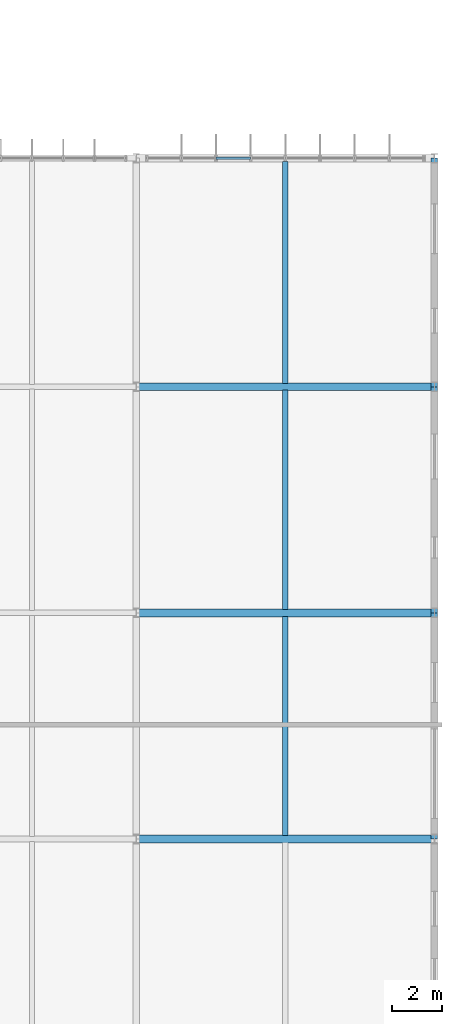
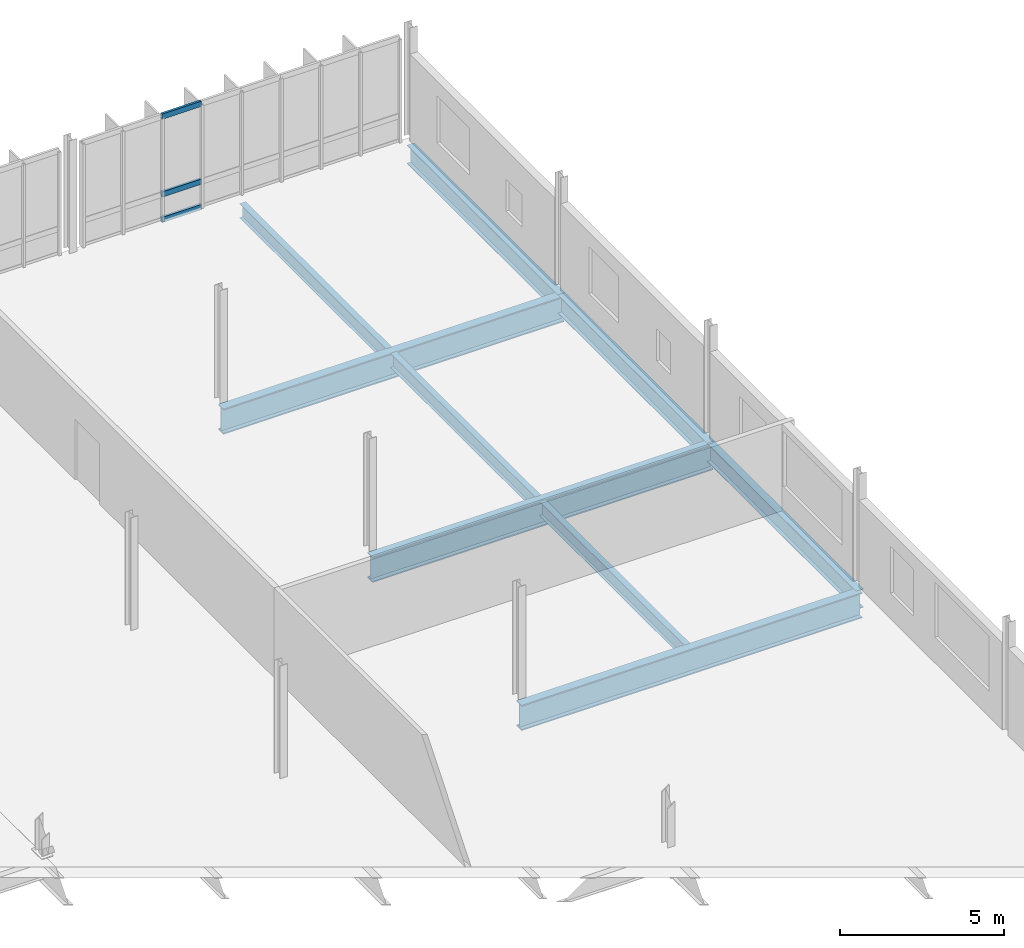
# One storey, part 69 of 107: 9 beams, 3 members, 1 element without a shape of its own.
"""IFC4 building model written with IfcOpenShell, lengths in metres."""

from ifc_helpers import new_model, si_unit, derived_unit, direction, frame, origin, origin_2d, place, context, subcontext, project, spatial, hollow_rectangle, i_section, extrude, material, layer, layer_set, material_profile, profile_set, type_object, element, aggregate, save


model = new_model("IFC4")

# Units and contexts
model_context = context("Model", 3, precision=1e-05, world=origin(), true_north=direction((0.0, 1.0)))
body_context = subcontext(model_context, "Body", "Model", "MODEL_VIEW")
ifc_project = project(units=[si_unit("LENGTHUNIT", "METRE"), si_unit("AREAUNIT", "SQUARE_METRE"), si_unit("VOLUMEUNIT", "CUBIC_METRE"), si_unit("PLANEANGLEUNIT", "RADIAN"), si_unit("MASSUNIT", "GRAM", prefix="KILO"), derived_unit("THERMALTRANSMITTANCEUNIT", [(si_unit("MASSUNIT", "GRAM", prefix="KILO"), 1), (si_unit("TIMEUNIT", "SECOND"), -3), (si_unit("THERMODYNAMICTEMPERATUREUNIT", "KELVIN"), -1)])], contexts=[model_context])

# Site, building, storey
site_placement = place(None, origin())
site = spatial("IfcSite", under=ifc_project, at=site_placement, CompositionType="ELEMENT")
building_placement = place(site_placement, origin())
building = spatial("IfcBuilding", under=site, at=building_placement, Name="Makaiwela Harbour Ferry Terminal", CompositionType="ELEMENT")
storey_placement = place(building_placement, frame((0.0, 0.0, 9.60009765625)))
storey = spatial("IfcBuildingStorey", under=building, at=storey_placement, Name="L02", CompositionType="ELEMENT", Elevation=9.60009765625)

# Curtain wall, members
ifc_material_1 = material(Name="Marine anodised aluminium 6063-T6", Category="aluminium")
ifc_layer = layer(ifc_material_1, 0.199951171875)
ifc_layer_set = layer_set([ifc_layer], Name="Marine anodised aluminium 6063-T6")
curtain_wall_type = type_object("IfcCurtainWallType", Name="ENV-CW-18", PredefinedType="USERDEFINED", material=ifc_layer_set)
curtain_wall_placement = place(storey_placement, origin())
curtain_wall = element("IfcCurtainWall", 1, at=curtain_wall_placement, inside=storey, type_object=curtain_wall_type, Name="Unitised Curtain Wall CWA-130", ObjectType="UNITIZED CURTAIN WALL", PredefinedType="USERDEFINED")
ifc_material_profile_1 = material_profile(ifc_material_1, hollow_rectangle(XDim=0.0849609375, YDim=0.199951171875, WallThickness=0.0048828125, at=origin_2d()), Name="CWT-200X85")
ifc_profile_set_1 = profile_set([ifc_material_profile_1], Name="Marine anodised aluminium 6063-T6")
member_type = type_object("IfcMemberType", Name="CW-TRN-200", PredefinedType="USERDEFINED", material=ifc_profile_set_1)
member_1_placement = place(storey_placement, frame((158.610107421875, 95.0, 0.0), z_axis=(1.0, 0.0, 0.0), x_axis=(0.0, 1.0, 0.0)))
member_1 = element("IfcMember", 2, at=member_1_placement, type_object=member_type, Name="Curtain Wall Transom CWA-130-3-1", ObjectType="TRANSOM", PredefinedType="USERDEFINED", context=body_context, shape_type="SweptSolid", body=[
    extrude(hollow_rectangle(XDim=0.0849609375, YDim=0.199951171875, WallThickness=0.0048828125, at=origin_2d()), origin(), (0.0, 0.0, 1.0), 1.394775390625),
])
member_2_placement = place(storey_placement, frame((158.610107421875, 95.0, 0.949951171875), z_axis=(1.0, 0.0, 0.0), x_axis=(0.0, 1.0, 0.0)))
member_2 = element("IfcMember", 3, at=member_2_placement, type_object=member_type, Name="Curtain Wall Transom CWA-130-3-2", ObjectType="TRANSOM", PredefinedType="USERDEFINED", context=body_context, shape_type="SweptSolid", body=[
    extrude(hollow_rectangle(XDim=0.0849609375, YDim=0.199951171875, WallThickness=0.0048828125, at=origin_2d()), origin(), (0.0, 0.0, 1.0), 1.394775390625),
])
member_3_placement = place(storey_placement, frame((158.610107421875, 95.0, 3.849853515625), z_axis=(1.0, 0.0, 0.0), x_axis=(0.0, 1.0, 0.0)))
member_3 = element("IfcMember", 4, at=member_3_placement, type_object=member_type, Name="Curtain Wall Transom CWA-130-3-3", ObjectType="TRANSOM", PredefinedType="USERDEFINED", context=body_context, shape_type="SweptSolid", body=[
    extrude(hollow_rectangle(XDim=0.0849609375, YDim=0.199951171875, WallThickness=0.0048828125, at=origin_2d()), origin(), (0.0, 0.0, 1.0), 1.394775390625),
])
aggregate(curtain_wall, [member_1, member_2, member_3])

# Beams
ifc_material_2 = material(Name="Steel ASTM A992 Grade 50", Category="steel")
ifc_material_profile_2 = material_profile(ifc_material_2, i_section(OverallWidth=0.2099609375, OverallDepth=0.537109375, WebThickness=0.010986328125, FlangeThickness=0.017333984375, at=origin_2d()), Name="W21X68")
ifc_profile_set_2 = profile_set([ifc_material_profile_2], Name="Steel ASTM A992 Grade 50")
beam_type_1 = type_object("IfcBeamType", Name="STR-BM-W21X68", PredefinedType="BEAM", material=ifc_profile_set_2)
beam_1_placement = place(storey_placement, frame((161.39990234375, 67.737060546875, -0.528564453125), z_axis=(0.0, 1.0, 0.0), x_axis=(-1.0, 0.0, 0.0)))
element("IfcBeam", 5, at=beam_1_placement, inside=storey, type_object=beam_type_1, Name="Secondary floor beam 1546", PredefinedType="BEAM", context=body_context, shape_type="SweptSolid", body=[
    extrude(i_section(OverallWidth=0.2099609375, OverallDepth=0.537109375, WebThickness=0.010986328125, FlangeThickness=0.017333984375, at=origin_2d()), origin(), (0.0, 0.0, 1.0), 8.825927734375),
])
beam_2_placement = place(storey_placement, frame((161.39990234375, 76.8369140625, -0.528564453125), z_axis=(0.0, 1.0, 0.0), x_axis=(-1.0, 0.0, 0.0)))
element("IfcBeam", 6, at=beam_2_placement, inside=storey, type_object=beam_type_1, Name="Secondary floor beam 1547", PredefinedType="BEAM", context=body_context, shape_type="SweptSolid", body=[
    extrude(i_section(OverallWidth=0.2099609375, OverallDepth=0.537109375, WebThickness=0.010986328125, FlangeThickness=0.017333984375, at=origin_2d()), origin(), (0.0, 0.0, 1.0), 8.826171875),
])
beam_3_placement = place(storey_placement, frame((161.39990234375, 85.93701171875, -0.528564453125), z_axis=(0.0, 1.0, 0.0), x_axis=(-1.0, 0.0, 0.0)))
element("IfcBeam", 7, at=beam_3_placement, inside=storey, type_object=beam_type_1, Name="Secondary floor beam 1548", PredefinedType="BEAM", context=body_context, shape_type="SweptSolid", body=[
    extrude(i_section(OverallWidth=0.2099609375, OverallDepth=0.537109375, WebThickness=0.010986328125, FlangeThickness=0.017333984375, at=origin_2d()), origin(), (0.0, 0.0, 1.0), 8.926025390625),
])
ifc_material_profile_3 = material_profile(ifc_material_2, i_section(OverallWidth=0.256103515625, OverallDepth=0.693115234375, WebThickness=0.014404296875, FlangeThickness=0.023681640625, at=origin_2d()), Name="W27X114")
ifc_profile_set_3 = profile_set([ifc_material_profile_3], Name="Steel ASTM A992 Grade 50")
beam_type_2 = type_object("IfcBeamType", Name="STR-GRD-W27X114", PredefinedType="USERDEFINED", material=ifc_profile_set_3)
beam_4_placement = place(storey_placement, frame((167.39990234375, 67.60009765625, -0.606689453125), z_axis=(0.0, 1.0, 0.0), x_axis=(-1.0, 0.0, 0.0)))
element("IfcBeam", 8, at=beam_4_placement, inside=storey, type_object=beam_type_2, Name="Primary Y girder 1454", ObjectType="GIRDER", PredefinedType="USERDEFINED", context=body_context, shape_type="SweptSolid", body=[
    extrude(i_section(OverallWidth=0.256103515625, OverallDepth=0.693115234375, WebThickness=0.014404296875, FlangeThickness=0.023681640625, at=origin_2d()), origin(), (0.0, 0.0, 1.0), 9.099853515625),
])
beam_5_placement = place(storey_placement, frame((167.39990234375, 76.699951171875, -0.606689453125), z_axis=(0.0, 1.0, 0.0), x_axis=(-1.0, 0.0, 0.0)))
element("IfcBeam", 9, at=beam_5_placement, inside=storey, type_object=beam_type_2, Name="Primary Y girder 1455", ObjectType="GIRDER", PredefinedType="USERDEFINED", context=body_context, shape_type="SweptSolid", body=[
    extrude(i_section(OverallWidth=0.256103515625, OverallDepth=0.693115234375, WebThickness=0.014404296875, FlangeThickness=0.023681640625, at=origin_2d()), origin(), (0.0, 0.0, 1.0), 9.10009765625),
])
beam_6_placement = place(storey_placement, frame((167.39990234375, 85.800048828125, -0.606689453125), z_axis=(0.0, 1.0, 0.0), x_axis=(-1.0, 0.0, 0.0)))
element("IfcBeam", 10, at=beam_6_placement, inside=storey, type_object=beam_type_2, Name="Primary Y girder 1456", ObjectType="GIRDER", PredefinedType="USERDEFINED", context=body_context, shape_type="SweptSolid", body=[
    extrude(i_section(OverallWidth=0.256103515625, OverallDepth=0.693115234375, WebThickness=0.014404296875, FlangeThickness=0.023681640625, at=origin_2d()), origin(), (0.0, 0.0, 1.0), 9.199951171875),
])
ifc_material_profile_4 = material_profile(ifc_material_2, i_section(OverallWidth=0.31005859375, OverallDepth=0.949951171875, WebThickness=0.0244140625, FlangeThickness=0.0439453125, at=origin_2d()), Name="W36X256")
ifc_profile_set_4 = profile_set([ifc_material_profile_4], Name="Steel ASTM A992 Grade 50")
beam_type_3 = type_object("IfcBeamType", Name="STR-GRD-W36X256", PredefinedType="USERDEFINED", material=ifc_profile_set_4)
for number, where, z_axis, x_axis, name in (
    (11, (155.39990234375, 67.60009765625, -0.735107421875), (1.0, 0.0, 0.0), (0.0, 1.0, 0.0), "Primary X girder 1327"),
    (12, (155.39990234375, 76.699951171875, -0.735107421875), (1.0, 0.0, 0.0), (0.0, 1.0, 0.0), "Primary X girder 1339"),
    (13, (155.39990234375, 85.800048828125, -0.735107421875), (1.0, 0.0, 0.0), (0.0, 1.0, 0.0), "Primary X girder 1342"),
):
    element("IfcBeam", number, at=place(storey_placement, frame(where, z_axis=z_axis, x_axis=x_axis)), inside=storey, type_object=beam_type_3, Name=name, ObjectType="GIRDER", PredefinedType="USERDEFINED", context=body_context, shape_type="SweptSolid", body=[
        extrude(i_section(OverallWidth=0.31005859375, OverallDepth=0.949951171875, WebThickness=0.0244140625, FlangeThickness=0.0439453125, at=origin_2d()), origin(), (0.0, 0.0, 1.0), 12.0),
    ])

save(model, "model.ifc")
